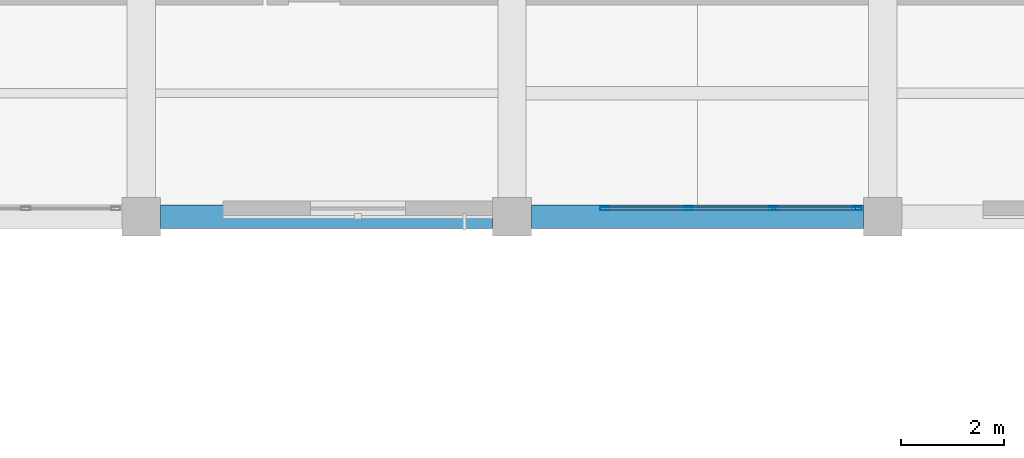
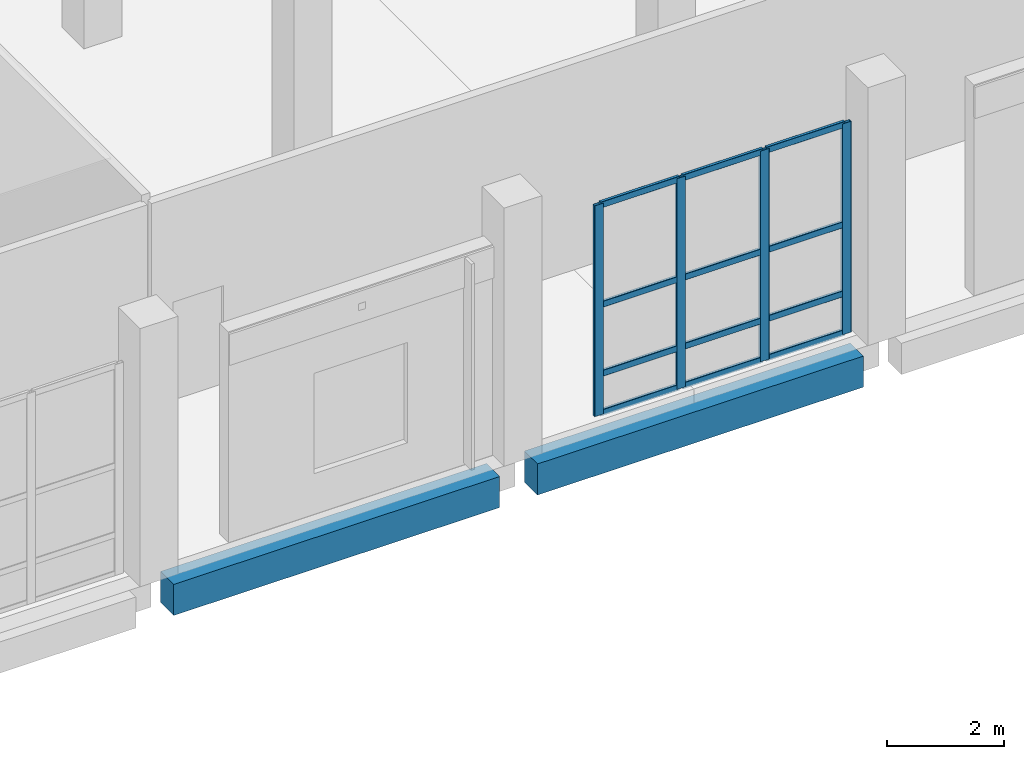
# One storey, part 57 of 137: 16 members, 2 beams, 1 element without a shape of its own.
"""IFC4 building model written with IfcOpenShell, lengths in metres."""

import ifcopenshell
import ifcopenshell.guid

model = None  # the IFC model being written
_history = None  # IfcOwnerHistory: only IFC2X3 demands one
_inside = {}  # id of a spatial element -> (the spatial element, [elements in it])
_under = {}  # id of a project, library or spatial element -> (it, [spatial elements below it])
_declared = {}  # id of a project -> (the project, [libraries it declares])
_typed = {}  # id of a type object -> (the type object, [elements of that type])
_made_of = {}  # id of a material, layer set ... -> (it, [elements and type objects made of it])


def new_model(schema):
    """Start an empty IFC model of exactly this schema.

    Asked for "IFC4X3", IfcOpenShell would pick the latest addendum, in which some entities
    have other attributes; the version numbers below select the first issue.
    IFC2X3 requires an IfcOwnerHistory on every rooted entity: one is made here for all.
    """
    global model, _history
    if schema == "IFC4X3":
        model = ifcopenshell.file(schema_version=(4, 3, 0, 0))
    else:
        model = ifcopenshell.file(schema=schema)
    _inside.clear()
    _under.clear()
    _declared.clear()
    _typed.clear()
    _made_of.clear()
    _history = None
    if model.schema == "IFC2X3":
        org = make("IfcOrganization", Name="unknown")
        user = make(
            "IfcPersonAndOrganization",
            ThePerson=make("IfcPerson", FamilyName="unknown"),
            TheOrganization=org,
        )
        app = make(
            "IfcApplication",
            ApplicationDeveloper=org,
            Version="unknown",
            ApplicationFullName="unknown",
            ApplicationIdentifier="unknown",
        )
        _history = make(
            "IfcOwnerHistory",
            OwningUser=user,
            OwningApplication=app,
            ChangeAction="ADDED",
            CreationDate=0,
        )
    return model


def make(cls, **values):
    """One entity of the class cls with the attributes given. An attribute that is None is left unset."""
    return model.create_entity(
        cls, **{name: value for name, value in values.items() if value is not None}
    )


def rooted(cls, **values):
    """An entity with a GlobalId (a new one), such as an element, a storey or a relation."""
    return make(cls, GlobalId=ifcopenshell.guid.new(), OwnerHistory=_history, **values)


def si_unit(unit_type, name, prefix=None):
    """IfcSIUnit, for example si_unit("LENGTHUNIT", "METRE", prefix="MILLI")."""
    return make("IfcSIUnit", UnitType=unit_type, Prefix=prefix, Name=name)


def assignment(units):
    """IfcUnitAssignment: the units of a project."""
    return None if units is None else make("IfcUnitAssignment", Units=units)


def point(xyz):
    """IfcCartesianPoint."""
    return None if xyz is None else make("IfcCartesianPoint", Coordinates=xyz)


def direction(xyz):
    """IfcDirection."""
    return None if xyz is None else make("IfcDirection", DirectionRatios=xyz)


def frame(location, z_axis=None, x_axis=None):
    """IfcAxis2Placement3D, a coordinate frame: its origin and axes. An axis left out is left unset."""
    return make(
        "IfcAxis2Placement3D",
        Location=point(location),
        Axis=direction(z_axis),
        RefDirection=direction(x_axis),
    )


def frame_2d(location, x_axis=None):
    """IfcAxis2Placement2D, a coordinate frame in the plane: its origin and x axis."""
    return make(
        "IfcAxis2Placement2D", Location=point(location), RefDirection=direction(x_axis)
    )


def origin():
    """The frame at (0, 0, 0) with its axes left unset."""
    return frame((0.0, 0.0, 0.0))


def origin_2d():
    """The frame at (0, 0) in the plane with its x axis left unset."""
    return frame_2d((0.0, 0.0))


def place(relative_to, where):
    """IfcLocalPlacement: puts the frame where relative to a parent placement (None: the world)."""
    return make(
        "IfcLocalPlacement", PlacementRelTo=relative_to, RelativePlacement=where
    )


def context(
    kind, dimensions, precision=None, world=None, true_north=None, identifier=None
):
    """IfcGeometricRepresentationContext, for example the 3D "Model" context."""
    return make(
        "IfcGeometricRepresentationContext",
        ContextIdentifier=identifier,
        ContextType=kind,
        CoordinateSpaceDimension=dimensions,
        Precision=precision,
        WorldCoordinateSystem=world,
        TrueNorth=true_north,
    )


def subcontext(parent, identifier, kind, view, scale=None):
    """IfcGeometricRepresentationSubContext, for example "Body" below "Model"."""
    return make(
        "IfcGeometricRepresentationSubContext",
        ContextIdentifier=identifier,
        ContextType=kind,
        ParentContext=parent,
        TargetScale=scale,
        TargetView=view,
    )


def project(units=None, contexts=None):
    """IfcProject with its units and contexts."""
    return rooted(
        "IfcProject",
        Name="project",
        RepresentationContexts=contexts,
        UnitsInContext=assignment(units),
    )


def spatial(cls, under=None, at=None, **own):
    """A site, building, storey or space (cls), placed at a placement, below another one or the project."""
    s = rooted(cls, ObjectPlacement=at, **own)
    if under is not None:
        _under.setdefault(under.id(), (under, []))[1].append(s)
    return s


def profile(cls, at=None, kind="AREA", **sizes):
    """A parametric profile (cls). Its sizes go by their IFC names, for example OverallWidth=200.0."""
    return make(cls, ProfileType=kind, Position=at, **sizes)


def rectangle(**sizes):
    """IfcRectangleProfileDef."""
    return profile("IfcRectangleProfileDef", **sizes)


def hollow_rectangle(**sizes):
    """IfcRectangleHollowProfileDef."""
    return profile("IfcRectangleHollowProfileDef", **sizes)


def extrude(swept, where, along, depth):
    """IfcExtrudedAreaSolid: the profile swept, set in the frame where, extruded along a direction by depth."""
    return make(
        "IfcExtrudedAreaSolid",
        SweptArea=swept,
        Position=where,
        ExtrudedDirection=direction(along),
        Depth=depth,
    )


def shape(context_of_items, identifier, shape_type, items):
    """IfcShapeRepresentation: the items that make up one representation, for example the "Body"."""
    return make(
        "IfcShapeRepresentation",
        ContextOfItems=context_of_items,
        RepresentationIdentifier=identifier,
        RepresentationType=shape_type,
        Items=items,
    )


def material(Name=None, Category=None):
    """IfcMaterial."""
    return make("IfcMaterial", Name=Name, Category=Category)


def material_profile(
    of_material, cross_section, Name=None, Category=None, Priority=None
):
    """IfcMaterialProfile: a cross section and its material."""
    return make(
        "IfcMaterialProfile",
        Name=Name,
        Material=of_material,
        Profile=cross_section,
        Priority=Priority,
        Category=Category,
    )


def profile_set(profiles, Name=None, composite=None):
    """IfcMaterialProfileSet."""
    return make(
        "IfcMaterialProfileSet",
        Name=Name,
        MaterialProfiles=profiles,
        CompositeProfile=composite,
    )


def made_of(thing, what):
    """Note that an element or type object is made of a material, layer set ...; save() writes the relation."""
    if what is not None:
        _made_of.setdefault(what.id(), (what, []))[1].append(thing)
    return thing


def type_object(cls, material=None, **own):
    """A type object (cls), such as IfcWallType, which elements share."""
    return made_of(rooted(cls, **own), material)


def element(
    cls,
    number,
    at=None,
    inside=None,
    cuts=None,
    type_object=None,
    material=None,
    context=None,
    identifier="Body",
    shape_type=None,
    held_by="IfcProductDefinitionShape",
    body=None,
    shapes=None,
    **own,
):
    """One element of the class cls, such as IfcWall. Its Tag is "e" and its number.

    at: its placement. inside: the storey or other place that contains it. cuts: it is an
    opening in that element (IfcRelVoidsElement). A single representation is given by context,
    identifier, shape_type and body (its items); several are given by shapes. held_by: the class
    of the entity that holds the representations. save() writes the other relations.
    """
    e = rooted(cls, Tag="e%d" % number, ObjectPlacement=at, **own)
    if body is not None:
        shapes = [shape(context, identifier, shape_type, body)]
    if shapes is not None:
        e.Representation = make(held_by, Representations=shapes)
    if inside is not None:
        _inside.setdefault(inside.id(), (inside, []))[1].append(e)
    if cuts is not None:
        rooted(
            "IfcRelVoidsElement", RelatingBuildingElement=cuts, RelatedOpeningElement=e
        )
    if type_object is not None:
        _typed.setdefault(type_object.id(), (type_object, []))[1].append(e)
    return made_of(e, material)


def aggregate(whole, parts):
    """IfcRelAggregates: a whole, such as a stair, and the parts it consists of."""
    return rooted("IfcRelAggregates", RelatingObject=whole, RelatedObjects=parts)


def save(model, path):
    """Write the relations noted so far, then the file.

    IfcRelAggregates (storeys below a building ...), IfcRelContainedInSpatialStructure (elements
    in a storey), IfcRelDefinesByType, IfcRelAssociatesMaterial and IfcRelDeclares: one each for
    every whole, place, type object, material and project.
    """
    for whole, parts in _under.values():
        aggregate(whole, parts)
    for where, things in _inside.values():
        rooted(
            "IfcRelContainedInSpatialStructure",
            RelatedElements=things,
            RelatingStructure=where,
        )
    for kind, things in _typed.values():
        rooted("IfcRelDefinesByType", RelatedObjects=things, RelatingType=kind)
    for what, things in _made_of.values():
        rooted("IfcRelAssociatesMaterial", RelatedObjects=things, RelatingMaterial=what)
    for by, libraries in _declared.values():
        rooted("IfcRelDeclares", RelatingContext=by, RelatedDefinitions=libraries)
    model.write(path)


model = new_model("IFC4")

# Units and contexts
model_context = context("Model", 3, precision=1e-05, world=origin(), true_north=direction((0.0, 1.0)))
body_context = subcontext(model_context, "Body", "Model", "MODEL_VIEW")
ifc_project = project(units=[si_unit("LENGTHUNIT", "METRE"), si_unit("AREAUNIT", "SQUARE_METRE"), si_unit("VOLUMEUNIT", "CUBIC_METRE"), si_unit("PLANEANGLEUNIT", "RADIAN"), si_unit("MASSUNIT", "GRAM", prefix="KILO")], contexts=[model_context])

# Site, building, storey
site_placement = place(None, origin())
site = spatial("IfcSite", under=ifc_project, at=site_placement, CompositionType="ELEMENT")
building_placement = place(site_placement, origin())
building = spatial("IfcBuilding", under=site, at=building_placement, Name="Kalmorath City Hall", CompositionType="ELEMENT")
storey_placement = place(building_placement, origin())
storey = spatial("IfcBuildingStorey", under=building, at=storey_placement, Name="L00", CompositionType="ELEMENT", Elevation=0.0)

# Beams
ifc_material_1 = material(Name="Concrete C40/50", Category="concrete")
ifc_material_profile_1 = material_profile(ifc_material_1, rectangle(XDim=0.449951171875, YDim=0.64990234375, at=origin_2d()), Name="RC-BM-450X650")
ifc_profile_set_1 = profile_set([ifc_material_profile_1], Name="Concrete C40/50")
beam_type = type_object("IfcBeamType", Name="Concrete spandrel beam 450x650", PredefinedType="SPANDREL", material=ifc_profile_set_1)
for number, where, z_axis, x_axis, name in (
    (1, (93.97509765625, 93.60009765625, -0.62890625), (1.0, 0.0, 0.0), (0.0, 1.0, 0.0), "L00 girder CB5 X14-15/14"),
    (2, (101.175048828125, 93.60009765625, -0.62890625), (1.0, 0.0, 0.0), (0.0, 1.0, 0.0), "L00 girder CB5 X15-16/14"),
):
    element("IfcBeam", number, at=place(storey_placement, frame(where, z_axis=z_axis, x_axis=x_axis)), inside=storey, type_object=beam_type, Name=name, PredefinedType="SPANDREL", context=body_context, shape_type="SweptSolid", body=[
        extrude(rectangle(XDim=0.449951171875, YDim=0.64990234375, at=origin_2d()), origin(), (0.0, 0.0, 1.0), 6.449951171875),
    ])

# Curtain wall, members
ifc_material_2 = material(Name="Anodised aluminium and laminated glass", Category="aluminium")
curtain_wall_type = type_object("IfcCurtainWallType", Name="Unitised hurricane curtain wall 4966x4411 M1550", PredefinedType="NOTDEFINED", material=ifc_material_2)
curtain_wall_placement = place(storey_placement, origin())
curtain_wall = element("IfcCurtainWall", 3, at=curtain_wall_placement, inside=storey, type_object=curtain_wall_type, Name="L00 curtain wall CW-50X44M16 #49", PredefinedType="NOTDEFINED")
ifc_material_3 = material(Name="Anodised aluminium framing", Category="aluminium")
ifc_material_profile_2 = material_profile(ifc_material_3, hollow_rectangle(XDim=0.06494140625, YDim=0.179931640625, WallThickness=0.00390625, InnerFilletRadius=0.00390625, OuterFilletRadius=0.008056640625, at=origin_2d()), Name="ALU-MUL-180X65X4")
ifc_profile_set_2 = profile_set([ifc_material_profile_2], Name="Anodised aluminium framing")
member_type_1 = type_object("IfcMemberType", Name="Curtain-wall courtyard mullion 180x65", PredefinedType="MULLION", material=ifc_profile_set_2)
member_1_placement = place(storey_placement, frame((107.50244140625, 93.760009765625, 0.0), z_axis=(0.0, 0.0, 1.0), x_axis=(0.0, -1.0, 0.0)))
member_1 = element("IfcMember", 4, at=member_1_placement, type_object=member_type_1, Name="CW-50X44M16 mullion 1", PredefinedType="MULLION", context=body_context, shape_type="SweptSolid", body=[
    extrude(hollow_rectangle(XDim=0.06494140625, YDim=0.179931640625, WallThickness=0.00390625, InnerFilletRadius=0.00390625, OuterFilletRadius=0.008056640625, at=origin_2d()), origin(), (0.0, 0.0, 1.0), 4.410888671875),
])
member_2_placement = place(storey_placement, frame((105.879638671875, 93.760009765625, 0.0), z_axis=(0.0, 0.0, 1.0), x_axis=(0.0, -1.0, 0.0)))
member_2 = element("IfcMember", 5, at=member_2_placement, type_object=member_type_1, Name="CW-50X44M16 mullion 2", PredefinedType="MULLION", context=body_context, shape_type="SweptSolid", body=[
    extrude(hollow_rectangle(XDim=0.06494140625, YDim=0.179931640625, WallThickness=0.00390625, InnerFilletRadius=0.00390625, OuterFilletRadius=0.008056640625, at=origin_2d()), origin(), (0.0, 0.0, 1.0), 4.410888671875),
])
member_3_placement = place(storey_placement, frame((104.224365234375, 93.760009765625, 0.0), z_axis=(0.0, 0.0, 1.0), x_axis=(0.0, -1.0, 0.0)))
member_3 = element("IfcMember", 6, at=member_3_placement, type_object=member_type_1, Name="CW-50X44M16 mullion 3", PredefinedType="MULLION", context=body_context, shape_type="SweptSolid", body=[
    extrude(hollow_rectangle(XDim=0.06494140625, YDim=0.179931640625, WallThickness=0.00390625, InnerFilletRadius=0.00390625, OuterFilletRadius=0.008056640625, at=origin_2d()), origin(), (0.0, 0.0, 1.0), 4.410888671875),
])
member_4_placement = place(storey_placement, frame((102.601318359375, 93.760009765625, 0.0), z_axis=(0.0, 0.0, 1.0), x_axis=(0.0, -1.0, 0.0)))
member_4 = element("IfcMember", 7, at=member_4_placement, type_object=member_type_1, Name="CW-50X44M16 mullion 4", PredefinedType="MULLION", context=body_context, shape_type="SweptSolid", body=[
    extrude(hollow_rectangle(XDim=0.06494140625, YDim=0.179931640625, WallThickness=0.00390625, InnerFilletRadius=0.00390625, OuterFilletRadius=0.008056640625, at=origin_2d()), origin(), (0.0, 0.0, 1.0), 4.410888671875),
])
ifc_material_4 = material(Name="Anodised aluminium framing", Category="aluminium")
ifc_material_profile_3 = material_profile(ifc_material_4, hollow_rectangle(XDim=0.06005859375, YDim=0.1298828125, WallThickness=0.00341796875, InnerFilletRadius=0.00341796875, OuterFilletRadius=0.007080078125, at=origin_2d()), Name="ALU-TRN-130X60X3.5")
ifc_profile_set_3 = profile_set([ifc_material_profile_3], Name="Anodised aluminium framing")
member_type_2 = type_object("IfcMemberType", Name="Curtain-wall courtyard transom 130x60", PredefinedType="USERDEFINED", material=ifc_profile_set_3)
member_5_placement = place(storey_placement, frame((107.469970703125, 93.760009765625, 0.030029296875), z_axis=(-1.0, 0.0, 0.0), x_axis=(0.0, -1.0, 0.0)))
member_5 = element("IfcMember", 8, at=member_5_placement, type_object=member_type_2, Name="CW-50X44M16 transom 1.1", ObjectType="TRANSOM", PredefinedType="USERDEFINED", context=body_context, shape_type="SweptSolid", body=[
    extrude(hollow_rectangle(XDim=0.06005859375, YDim=0.1298828125, WallThickness=0.00341796875, InnerFilletRadius=0.00341796875, OuterFilletRadius=0.007080078125, at=origin_2d()), origin(), (0.0, 0.0, 1.0), 1.557861328125),
])
member_6_placement = place(storey_placement, frame((107.469970703125, 93.760009765625, 0.85009765625), z_axis=(-1.0, 0.0, 0.0), x_axis=(0.0, -1.0, 0.0)))
member_6 = element("IfcMember", 9, at=member_6_placement, type_object=member_type_2, Name="CW-50X44M16 transom 1.2", ObjectType="TRANSOM", PredefinedType="USERDEFINED", context=body_context, shape_type="SweptSolid", body=[
    extrude(hollow_rectangle(XDim=0.06005859375, YDim=0.1298828125, WallThickness=0.00341796875, InnerFilletRadius=0.00341796875, OuterFilletRadius=0.007080078125, at=origin_2d()), origin(), (0.0, 0.0, 1.0), 1.557861328125),
])
member_7_placement = place(storey_placement, frame((107.469970703125, 93.760009765625, 2.2939453125), z_axis=(-1.0, 0.0, 0.0), x_axis=(0.0, -1.0, 0.0)))
member_7 = element("IfcMember", 10, at=member_7_placement, type_object=member_type_2, Name="CW-50X44M16 transom 1.3", ObjectType="TRANSOM", PredefinedType="USERDEFINED", context=body_context, shape_type="SweptSolid", body=[
    extrude(hollow_rectangle(XDim=0.06005859375, YDim=0.1298828125, WallThickness=0.00341796875, InnerFilletRadius=0.00341796875, OuterFilletRadius=0.007080078125, at=origin_2d()), origin(), (0.0, 0.0, 1.0), 1.557861328125),
])
member_8_placement = place(storey_placement, frame((107.469970703125, 93.760009765625, 4.381103515625), z_axis=(-1.0, 0.0, 0.0), x_axis=(0.0, -1.0, 0.0)))
member_8 = element("IfcMember", 11, at=member_8_placement, type_object=member_type_2, Name="CW-50X44M16 transom 1.4", ObjectType="TRANSOM", PredefinedType="USERDEFINED", context=body_context, shape_type="SweptSolid", body=[
    extrude(hollow_rectangle(XDim=0.06005859375, YDim=0.1298828125, WallThickness=0.00341796875, InnerFilletRadius=0.00341796875, OuterFilletRadius=0.007080078125, at=origin_2d()), origin(), (0.0, 0.0, 1.0), 1.557861328125),
])
member_9_placement = place(storey_placement, frame((105.84716796875, 93.760009765625, 0.030029296875), z_axis=(-1.0, 0.0, 0.0), x_axis=(0.0, -1.0, 0.0)))
member_9 = element("IfcMember", 12, at=member_9_placement, type_object=member_type_2, Name="CW-50X44M16 transom 2.1", ObjectType="TRANSOM", PredefinedType="USERDEFINED", context=body_context, shape_type="SweptSolid", body=[
    extrude(hollow_rectangle(XDim=0.06005859375, YDim=0.1298828125, WallThickness=0.00341796875, InnerFilletRadius=0.00341796875, OuterFilletRadius=0.007080078125, at=origin_2d()), origin(), (0.0, 0.0, 1.0), 1.59033203125),
])
member_10_placement = place(storey_placement, frame((105.84716796875, 93.760009765625, 0.85009765625), z_axis=(-1.0, 0.0, 0.0), x_axis=(0.0, -1.0, 0.0)))
member_10 = element("IfcMember", 13, at=member_10_placement, type_object=member_type_2, Name="CW-50X44M16 transom 2.2", ObjectType="TRANSOM", PredefinedType="USERDEFINED", context=body_context, shape_type="SweptSolid", body=[
    extrude(hollow_rectangle(XDim=0.06005859375, YDim=0.1298828125, WallThickness=0.00341796875, InnerFilletRadius=0.00341796875, OuterFilletRadius=0.007080078125, at=origin_2d()), origin(), (0.0, 0.0, 1.0), 1.59033203125),
])
member_11_placement = place(storey_placement, frame((105.84716796875, 93.760009765625, 2.2939453125), z_axis=(-1.0, 0.0, 0.0), x_axis=(0.0, -1.0, 0.0)))
member_11 = element("IfcMember", 14, at=member_11_placement, type_object=member_type_2, Name="CW-50X44M16 transom 2.3", ObjectType="TRANSOM", PredefinedType="USERDEFINED", context=body_context, shape_type="SweptSolid", body=[
    extrude(hollow_rectangle(XDim=0.06005859375, YDim=0.1298828125, WallThickness=0.00341796875, InnerFilletRadius=0.00341796875, OuterFilletRadius=0.007080078125, at=origin_2d()), origin(), (0.0, 0.0, 1.0), 1.59033203125),
])
member_12_placement = place(storey_placement, frame((105.84716796875, 93.760009765625, 4.381103515625), z_axis=(-1.0, 0.0, 0.0), x_axis=(0.0, -1.0, 0.0)))
member_12 = element("IfcMember", 15, at=member_12_placement, type_object=member_type_2, Name="CW-50X44M16 transom 2.4", ObjectType="TRANSOM", PredefinedType="USERDEFINED", context=body_context, shape_type="SweptSolid", body=[
    extrude(hollow_rectangle(XDim=0.06005859375, YDim=0.1298828125, WallThickness=0.00341796875, InnerFilletRadius=0.00341796875, OuterFilletRadius=0.007080078125, at=origin_2d()), origin(), (0.0, 0.0, 1.0), 1.59033203125),
])
member_13_placement = place(storey_placement, frame((104.191650390625, 93.760009765625, 0.030029296875), z_axis=(-1.0, 0.0, 0.0), x_axis=(0.0, -1.0, 0.0)))
member_13 = element("IfcMember", 16, at=member_13_placement, type_object=member_type_2, Name="CW-50X44M16 transom 3.1", ObjectType="TRANSOM", PredefinedType="USERDEFINED", context=body_context, shape_type="SweptSolid", body=[
    extrude(hollow_rectangle(XDim=0.06005859375, YDim=0.1298828125, WallThickness=0.00341796875, InnerFilletRadius=0.00341796875, OuterFilletRadius=0.007080078125, at=origin_2d()), origin(), (0.0, 0.0, 1.0), 1.557861328125),
])
member_14_placement = place(storey_placement, frame((104.191650390625, 93.760009765625, 0.85009765625), z_axis=(-1.0, 0.0, 0.0), x_axis=(0.0, -1.0, 0.0)))
member_14 = element("IfcMember", 17, at=member_14_placement, type_object=member_type_2, Name="CW-50X44M16 transom 3.2", ObjectType="TRANSOM", PredefinedType="USERDEFINED", context=body_context, shape_type="SweptSolid", body=[
    extrude(hollow_rectangle(XDim=0.06005859375, YDim=0.1298828125, WallThickness=0.00341796875, InnerFilletRadius=0.00341796875, OuterFilletRadius=0.007080078125, at=origin_2d()), origin(), (0.0, 0.0, 1.0), 1.557861328125),
])
member_15_placement = place(storey_placement, frame((104.191650390625, 93.760009765625, 2.2939453125), z_axis=(-1.0, 0.0, 0.0), x_axis=(0.0, -1.0, 0.0)))
member_15 = element("IfcMember", 18, at=member_15_placement, type_object=member_type_2, Name="CW-50X44M16 transom 3.3", ObjectType="TRANSOM", PredefinedType="USERDEFINED", context=body_context, shape_type="SweptSolid", body=[
    extrude(hollow_rectangle(XDim=0.06005859375, YDim=0.1298828125, WallThickness=0.00341796875, InnerFilletRadius=0.00341796875, OuterFilletRadius=0.007080078125, at=origin_2d()), origin(), (0.0, 0.0, 1.0), 1.557861328125),
])
member_16_placement = place(storey_placement, frame((104.191650390625, 93.760009765625, 4.381103515625), z_axis=(-1.0, 0.0, 0.0), x_axis=(0.0, -1.0, 0.0)))
member_16 = element("IfcMember", 19, at=member_16_placement, type_object=member_type_2, Name="CW-50X44M16 transom 3.4", ObjectType="TRANSOM", PredefinedType="USERDEFINED", context=body_context, shape_type="SweptSolid", body=[
    extrude(hollow_rectangle(XDim=0.06005859375, YDim=0.1298828125, WallThickness=0.00341796875, InnerFilletRadius=0.00341796875, OuterFilletRadius=0.007080078125, at=origin_2d()), origin(), (0.0, 0.0, 1.0), 1.557861328125),
])
aggregate(curtain_wall, [member_1, member_2, member_3, member_4, member_5, member_6, member_7, member_8, member_9, member_10, member_11, member_12, member_13, member_14, member_15, member_16])

save(model, "model.ifc")
